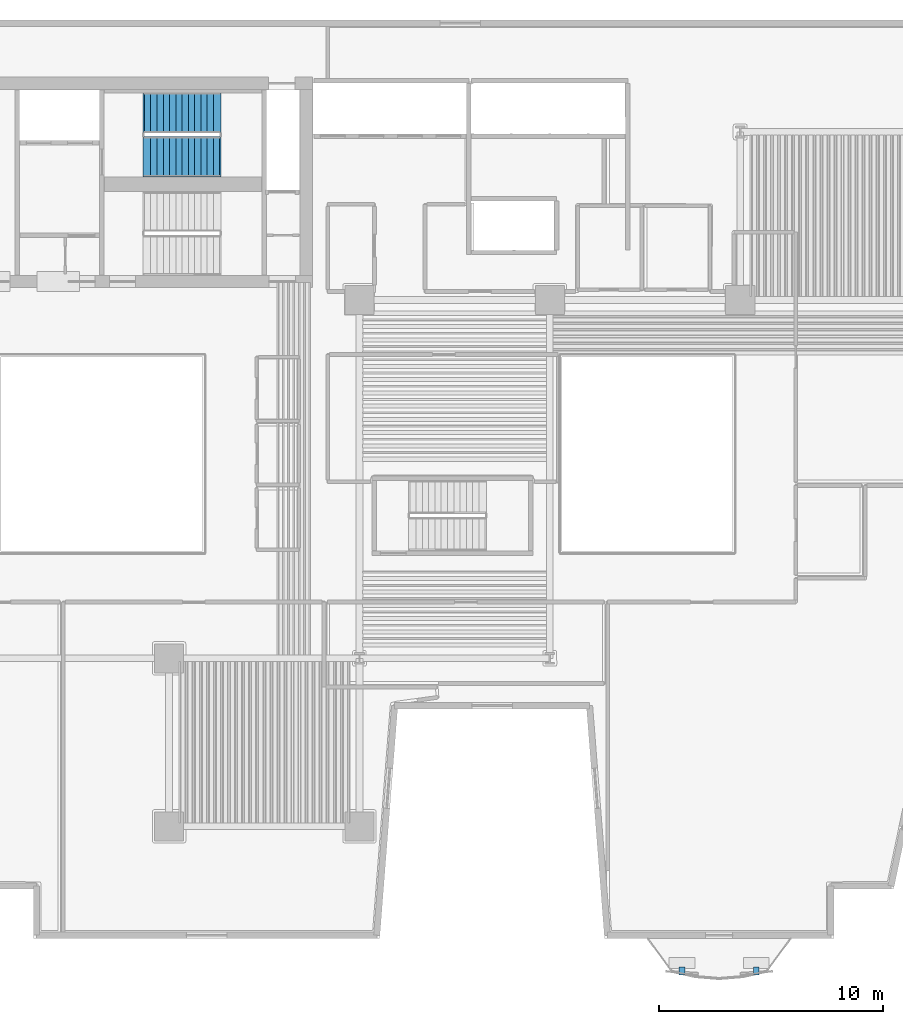
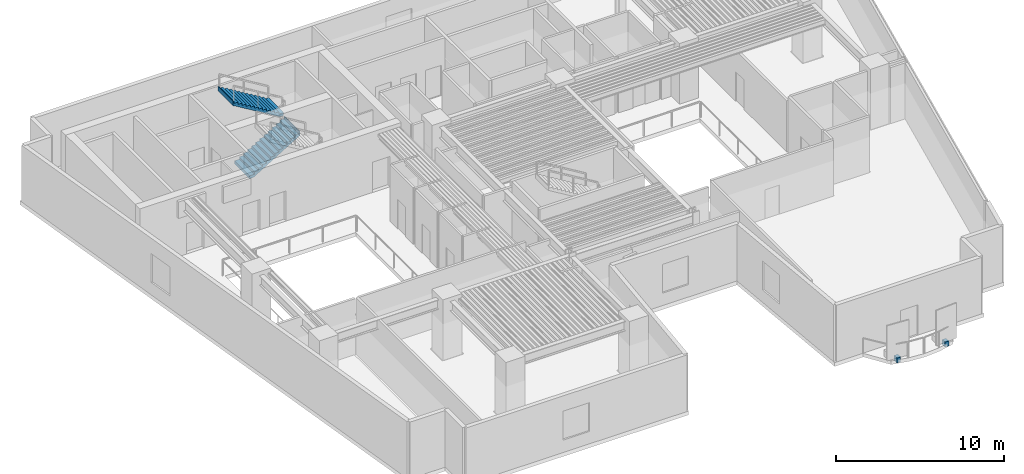
# One storey, part 7 of 12: 2 discrete accessories, 2 stair flights, 1 element without a shape of its own.
"""IFC4 building model written with IfcOpenShell, lengths in metres."""

import ifcopenshell
import ifcopenshell.guid

model = None  # the IFC model being written
_history = None  # IfcOwnerHistory: only IFC2X3 demands one
_inside = {}  # id of a spatial element -> (the spatial element, [elements in it])
_under = {}  # id of a project, library or spatial element -> (it, [spatial elements below it])
_declared = {}  # id of a project -> (the project, [libraries it declares])
_typed = {}  # id of a type object -> (the type object, [elements of that type])
_made_of = {}  # id of a material, layer set ... -> (it, [elements and type objects made of it])


def new_model(schema):
    """Start an empty IFC model of exactly this schema.

    Asked for "IFC4X3", IfcOpenShell would pick the latest addendum, in which some entities
    have other attributes; the version numbers below select the first issue.
    IFC2X3 requires an IfcOwnerHistory on every rooted entity: one is made here for all.
    """
    global model, _history
    if schema == "IFC4X3":
        model = ifcopenshell.file(schema_version=(4, 3, 0, 0))
    else:
        model = ifcopenshell.file(schema=schema)
    _inside.clear()
    _under.clear()
    _declared.clear()
    _typed.clear()
    _made_of.clear()
    _history = None
    if model.schema == "IFC2X3":
        org = make("IfcOrganization", Name="unknown")
        user = make(
            "IfcPersonAndOrganization",
            ThePerson=make("IfcPerson", FamilyName="unknown"),
            TheOrganization=org,
        )
        app = make(
            "IfcApplication",
            ApplicationDeveloper=org,
            Version="unknown",
            ApplicationFullName="unknown",
            ApplicationIdentifier="unknown",
        )
        _history = make(
            "IfcOwnerHistory",
            OwningUser=user,
            OwningApplication=app,
            ChangeAction="ADDED",
            CreationDate=0,
        )
    return model


def make(cls, **values):
    """One entity of the class cls with the attributes given. An attribute that is None is left unset."""
    return model.create_entity(
        cls, **{name: value for name, value in values.items() if value is not None}
    )


def rooted(cls, **values):
    """An entity with a GlobalId (a new one), such as an element, a storey or a relation."""
    return make(cls, GlobalId=ifcopenshell.guid.new(), OwnerHistory=_history, **values)


def si_unit(unit_type, name, prefix=None):
    """IfcSIUnit, for example si_unit("LENGTHUNIT", "METRE", prefix="MILLI")."""
    return make("IfcSIUnit", UnitType=unit_type, Prefix=prefix, Name=name)


def assignment(units):
    """IfcUnitAssignment: the units of a project."""
    return None if units is None else make("IfcUnitAssignment", Units=units)


def point(xyz):
    """IfcCartesianPoint."""
    return None if xyz is None else make("IfcCartesianPoint", Coordinates=xyz)


def direction(xyz):
    """IfcDirection."""
    return None if xyz is None else make("IfcDirection", DirectionRatios=xyz)


def frame(location, z_axis=None, x_axis=None):
    """IfcAxis2Placement3D, a coordinate frame: its origin and axes. An axis left out is left unset."""
    return make(
        "IfcAxis2Placement3D",
        Location=point(location),
        Axis=direction(z_axis),
        RefDirection=direction(x_axis),
    )


def frame_2d(location, x_axis=None):
    """IfcAxis2Placement2D, a coordinate frame in the plane: its origin and x axis."""
    return make(
        "IfcAxis2Placement2D", Location=point(location), RefDirection=direction(x_axis)
    )


def origin():
    """The frame at (0, 0, 0) with its axes left unset."""
    return frame((0.0, 0.0, 0.0))


def origin_2d():
    """The frame at (0, 0) in the plane with its x axis left unset."""
    return frame_2d((0.0, 0.0))


def place(relative_to, where):
    """IfcLocalPlacement: puts the frame where relative to a parent placement (None: the world)."""
    return make(
        "IfcLocalPlacement", PlacementRelTo=relative_to, RelativePlacement=where
    )


def context(
    kind, dimensions, precision=None, world=None, true_north=None, identifier=None
):
    """IfcGeometricRepresentationContext, for example the 3D "Model" context."""
    return make(
        "IfcGeometricRepresentationContext",
        ContextIdentifier=identifier,
        ContextType=kind,
        CoordinateSpaceDimension=dimensions,
        Precision=precision,
        WorldCoordinateSystem=world,
        TrueNorth=true_north,
    )


def subcontext(parent, identifier, kind, view, scale=None):
    """IfcGeometricRepresentationSubContext, for example "Body" below "Model"."""
    return make(
        "IfcGeometricRepresentationSubContext",
        ContextIdentifier=identifier,
        ContextType=kind,
        ParentContext=parent,
        TargetScale=scale,
        TargetView=view,
    )


def project(units=None, contexts=None):
    """IfcProject with its units and contexts."""
    return rooted(
        "IfcProject",
        Name="project",
        RepresentationContexts=contexts,
        UnitsInContext=assignment(units),
    )


def spatial(cls, under=None, at=None, **own):
    """A site, building, storey or space (cls), placed at a placement, below another one or the project."""
    s = rooted(cls, ObjectPlacement=at, **own)
    if under is not None:
        _under.setdefault(under.id(), (under, []))[1].append(s)
    return s


def polyline(points):
    """IfcPolyline through the points."""
    return make("IfcPolyline", Points=[point(p) for p in points])


def profile(cls, at=None, kind="AREA", **sizes):
    """A parametric profile (cls). Its sizes go by their IFC names, for example OverallWidth=200.0."""
    return make(cls, ProfileType=kind, Position=at, **sizes)


def rectangle(**sizes):
    """IfcRectangleProfileDef."""
    return profile("IfcRectangleProfileDef", **sizes)


def outline(outer, holes=None, kind="AREA"):
    """IfcArbitraryClosedProfileDef: a profile drawn as a closed curve; with holes, ...WithVoids."""
    if holes is None:
        return make("IfcArbitraryClosedProfileDef", ProfileType=kind, OuterCurve=outer)
    return make(
        "IfcArbitraryProfileDefWithVoids",
        ProfileType=kind,
        OuterCurve=outer,
        InnerCurves=holes,
    )


def extrude(swept, where, along, depth):
    """IfcExtrudedAreaSolid: the profile swept, set in the frame where, extruded along a direction by depth."""
    return make(
        "IfcExtrudedAreaSolid",
        SweptArea=swept,
        Position=where,
        ExtrudedDirection=direction(along),
        Depth=depth,
    )


def shape(context_of_items, identifier, shape_type, items):
    """IfcShapeRepresentation: the items that make up one representation, for example the "Body"."""
    return make(
        "IfcShapeRepresentation",
        ContextOfItems=context_of_items,
        RepresentationIdentifier=identifier,
        RepresentationType=shape_type,
        Items=items,
    )


def material(Name=None, Category=None):
    """IfcMaterial."""
    return make("IfcMaterial", Name=Name, Category=Category)


def made_of(thing, what):
    """Note that an element or type object is made of a material, layer set ...; save() writes the relation."""
    if what is not None:
        _made_of.setdefault(what.id(), (what, []))[1].append(thing)
    return thing


def type_object(cls, material=None, **own):
    """A type object (cls), such as IfcWallType, which elements share."""
    return made_of(rooted(cls, **own), material)


def element(
    cls,
    number,
    at=None,
    inside=None,
    cuts=None,
    type_object=None,
    material=None,
    context=None,
    identifier="Body",
    shape_type=None,
    held_by="IfcProductDefinitionShape",
    body=None,
    shapes=None,
    **own,
):
    """One element of the class cls, such as IfcWall. Its Tag is "e" and its number.

    at: its placement. inside: the storey or other place that contains it. cuts: it is an
    opening in that element (IfcRelVoidsElement). A single representation is given by context,
    identifier, shape_type and body (its items); several are given by shapes. held_by: the class
    of the entity that holds the representations. save() writes the other relations.
    """
    e = rooted(cls, Tag="e%d" % number, ObjectPlacement=at, **own)
    if body is not None:
        shapes = [shape(context, identifier, shape_type, body)]
    if shapes is not None:
        e.Representation = make(held_by, Representations=shapes)
    if inside is not None:
        _inside.setdefault(inside.id(), (inside, []))[1].append(e)
    if cuts is not None:
        rooted(
            "IfcRelVoidsElement", RelatingBuildingElement=cuts, RelatedOpeningElement=e
        )
    if type_object is not None:
        _typed.setdefault(type_object.id(), (type_object, []))[1].append(e)
    return made_of(e, material)


def aggregate(whole, parts):
    """IfcRelAggregates: a whole, such as a stair, and the parts it consists of."""
    return rooted("IfcRelAggregates", RelatingObject=whole, RelatedObjects=parts)


def save(model, path):
    """Write the relations noted so far, then the file.

    IfcRelAggregates (storeys below a building ...), IfcRelContainedInSpatialStructure (elements
    in a storey), IfcRelDefinesByType, IfcRelAssociatesMaterial and IfcRelDeclares: one each for
    every whole, place, type object, material and project.
    """
    for whole, parts in _under.values():
        aggregate(whole, parts)
    for where, things in _inside.values():
        rooted(
            "IfcRelContainedInSpatialStructure",
            RelatedElements=things,
            RelatingStructure=where,
        )
    for kind, things in _typed.values():
        rooted("IfcRelDefinesByType", RelatedObjects=things, RelatingType=kind)
    for what, things in _made_of.values():
        rooted("IfcRelAssociatesMaterial", RelatedObjects=things, RelatingMaterial=what)
    for by, libraries in _declared.values():
        rooted("IfcRelDeclares", RelatingContext=by, RelatedDefinitions=libraries)
    model.write(path)


model = new_model("IFC4")

# Units and contexts
model_context = context("Model", 3, precision=1e-05, world=origin(), true_north=direction((0.0, 1.0)))
body_context = subcontext(model_context, "Body", "Model", "MODEL_VIEW")
ifc_project = project(units=[si_unit("LENGTHUNIT", "METRE"), si_unit("AREAUNIT", "SQUARE_METRE"), si_unit("VOLUMEUNIT", "CUBIC_METRE"), si_unit("PLANEANGLEUNIT", "RADIAN"), si_unit("MASSUNIT", "GRAM", prefix="KILO")], contexts=[model_context])

# Site, building, storey
site_placement = place(None, origin())
site = spatial("IfcSite", under=ifc_project, at=site_placement, CompositionType="ELEMENT")
building_placement = place(site_placement, origin())
building = spatial("IfcBuilding", under=site, at=building_placement, Name="Caeloran Harvest Quay", CompositionType="ELEMENT")
storey_placement = place(building_placement, frame((0.0, 0.0, 97.39990234375)))
storey = spatial("IfcBuildingStorey", under=building, at=storey_placement, Name="L22", CompositionType="ELEMENT", Elevation=97.39990234375)

# Stair, stair flights
ifc_material_1 = material(Name="Concrete C50/60", Category="concrete")
stair_type = type_object("IfcStairType", Name="STAIR-STC-180", PredefinedType="HALF_TURN_STAIR", material=ifc_material_1)
stair_placement = place(storey_placement, origin())
stair = element("IfcStair", 1, at=stair_placement, inside=storey, type_object=stair_type, Name="L22 Core Pressurized Exit Stair ST-C1", PredefinedType="HALF_TURN_STAIR")
stair_flight_type = type_object("IfcStairFlightType", Name="FLIGHT-STC-180", PredefinedType="STRAIGHT", material=ifc_material_1)
stair_flight_1_placement = place(storey_placement, frame((15.89990234375, 37.39990234375, 0.0), z_axis=(0.0, 0.0, 1.0), x_axis=(1.0, 0.0, 0.0)))
stair_flight_1 = element("IfcStairFlight", 2, at=stair_flight_1_placement, type_object=stair_flight_type, Name="ST-C1 flight 1", NumberOfRisers=13, NumberOfTreads=12, PredefinedType="STRAIGHT", RiserHeight=0.169230769, TreadLength=0.28, context=body_context, shape_type="SweptSolid", body=[
    extrude(outline(polyline([(-0.054931640625, -0.044921875), (-0.054931640625, -0.031494140625), (-0.054931640625, -0.018310546875), (-0.054931640625, -0.0048828125), (-0.054931640625, 0.008544921875), (-0.054931640625, 0.02197265625), (-0.054931640625, 0.035400390625), (-0.054931640625, 0.048828125), (-0.054931640625, 0.06201171875), (-0.054931640625, 0.075439453125), (-0.054931640625, 0.0888671875), (-0.054931640625, 0.102294921875), (-0.054931640625, 0.11572265625), (-0.054931640625, 0.129150390625), (-0.054931640625, 0.142333984375), (-0.054931640625, 0.15576171875), (-0.054931640625, 0.169189453125), (0.280029296875, 0.169189453125), (0.280029296875, 0.33837890625), (0.56005859375, 0.33837890625), (0.56005859375, 0.5078125), (0.840087890625, 0.5078125), (0.840087890625, 0.677001953125), (1.1201171875, 0.677001953125), (1.1201171875, 0.84619140625), (1.39990234375, 0.84619140625), (1.39990234375, 1.015380859375), (1.679931640625, 1.015380859375), (1.679931640625, 1.1845703125), (1.9599609375, 1.1845703125), (1.9599609375, 1.353759765625), (2.239990234375, 1.353759765625), (2.239990234375, 1.523193359375), (2.52001953125, 1.523193359375), (2.52001953125, 1.6923828125), (2.800048828125, 1.6923828125), (2.800048828125, 1.861572265625), (3.080078125, 1.861572265625), (3.080078125, 2.03076171875), (3.360107421875, 2.03076171875), (3.360107421875, 2.199951171875), (3.4150390625, 2.199951171875), (3.4150390625, 2.178466796875), (3.4150390625, 2.156982421875), (3.4150390625, 2.135498046875), (3.4150390625, 2.114013671875), (3.4150390625, 2.09228515625), (3.4150390625, 2.07080078125), (3.4150390625, 2.04931640625), (3.4150390625, 2.02783203125), (3.4150390625, 2.00634765625), (3.4150390625, 1.98486328125), (3.4150390625, 1.963134765625), (3.4150390625, 1.941650390625), (3.4150390625, 1.920166015625), (3.4150390625, 1.898681640625), (3.4150390625, 1.877197265625), (3.4150390625, 1.855712890625), (3.360107421875, 1.855712890625), (0.21533203125, -0.044921875), (-0.054931640625, -0.044921875)])), frame((0.0, 0.89990234375, 0.0), z_axis=(0.0, -1.0, 0.0), x_axis=(1.0, 0.0, 0.0)), (0.0, 0.0, 1.0), 1.800048828125),
])
stair_flight_2_placement = place(storey_placement, frame((19.260009765625, 39.35009765625, 2.2001953125), z_axis=(0.0, 0.0, 1.0), x_axis=(-1.0, 0.0, 0.0)))
stair_flight_2 = element("IfcStairFlight", 3, at=stair_flight_2_placement, type_object=stair_flight_type, Name="ST-C1 flight 2", NumberOfRisers=13, NumberOfTreads=12, PredefinedType="STRAIGHT", RiserHeight=0.169230769, TreadLength=0.28, context=body_context, shape_type="SweptSolid", body=[
    extrude(outline(polyline([(-0.054931640625, -0.044921875), (-0.054931640625, -0.031494140625), (-0.054931640625, -0.018310546875), (-0.054931640625, -0.0048828125), (-0.054931640625, 0.008544921875), (-0.054931640625, 0.02197265625), (-0.054931640625, 0.035400390625), (-0.054931640625, 0.048828125), (-0.054931640625, 0.06201171875), (-0.054931640625, 0.075439453125), (-0.054931640625, 0.0888671875), (-0.054931640625, 0.102294921875), (-0.054931640625, 0.11572265625), (-0.054931640625, 0.129150390625), (-0.054931640625, 0.142333984375), (-0.054931640625, 0.15576171875), (-0.054931640625, 0.169189453125), (0.280029296875, 0.169189453125), (0.280029296875, 0.33837890625), (0.56005859375, 0.33837890625), (0.56005859375, 0.5078125), (0.840087890625, 0.5078125), (0.840087890625, 0.677001953125), (1.1201171875, 0.677001953125), (1.1201171875, 0.84619140625), (1.39990234375, 0.84619140625), (1.39990234375, 1.015380859375), (1.679931640625, 1.015380859375), (1.679931640625, 1.1845703125), (1.9599609375, 1.1845703125), (1.9599609375, 1.353759765625), (2.239990234375, 1.353759765625), (2.239990234375, 1.523193359375), (2.52001953125, 1.523193359375), (2.52001953125, 1.6923828125), (2.800048828125, 1.6923828125), (2.800048828125, 1.861572265625), (3.080078125, 1.861572265625), (3.080078125, 2.03076171875), (3.360107421875, 2.03076171875), (3.360107421875, 2.199951171875), (3.4150390625, 2.199951171875), (3.4150390625, 2.178466796875), (3.4150390625, 2.156982421875), (3.4150390625, 2.135498046875), (3.4150390625, 2.114013671875), (3.4150390625, 2.09228515625), (3.4150390625, 2.07080078125), (3.4150390625, 2.04931640625), (3.4150390625, 2.02783203125), (3.4150390625, 2.00634765625), (3.4150390625, 1.98486328125), (3.4150390625, 1.963134765625), (3.4150390625, 1.941650390625), (3.4150390625, 1.920166015625), (3.4150390625, 1.898681640625), (3.4150390625, 1.877197265625), (3.4150390625, 1.855712890625), (3.360107421875, 1.855712890625), (0.21533203125, -0.044921875), (-0.054931640625, -0.044921875)])), frame((0.0, 0.89990234375, 0.0), z_axis=(0.0, -1.0, 0.0), x_axis=(1.0, 0.0, 0.0)), (0.0, 0.0, 1.0), 1.800048828125),
])
aggregate(stair, [stair_flight_1, stair_flight_2])

# Discrete accessories
ifc_material_2 = material(Name="Stainless Steel Grade 316L", Category="steel")
discrete_accessory_type = type_object("IfcDiscreteAccessoryType", Name="BRACKET-SCREEN-SS", PredefinedType="BRACKET", material=ifc_material_2)
for number, where, z_axis, x_axis, name in (
    (4, (43.218505859375, 1.0400390625, -0.2197265625), (0.0, 0.0, 1.0), (1.0, 0.0, 0.0), "L22 Balcony Screen Support Bracket 1"),
    (5, (39.8984375, 1.0400390625, -0.2197265625), (0.0, 0.0, 1.0), (1.0, 0.0, 0.0), "L22 Balcony Screen Support Bracket 2"),
):
    element("IfcDiscreteAccessory", number, at=place(storey_placement, frame(where, z_axis=z_axis, x_axis=x_axis)), inside=storey, type_object=discrete_accessory_type, Name=name, PredefinedType="BRACKET", context=body_context, shape_type="SweptSolid", body=[
        extrude(rectangle(XDim=0.260009765625, YDim=0.340087890625, at=origin_2d()), origin(), (0.0, 0.0, 1.0), 0.360107421875),
    ])

save(model, "model.ifc")
